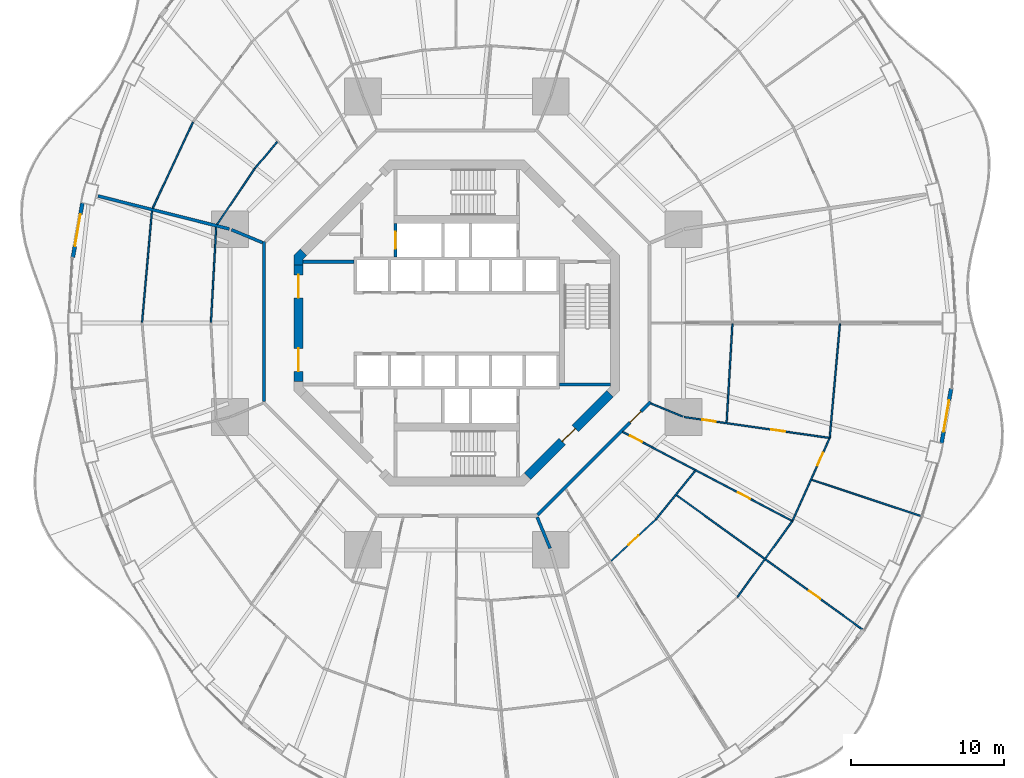
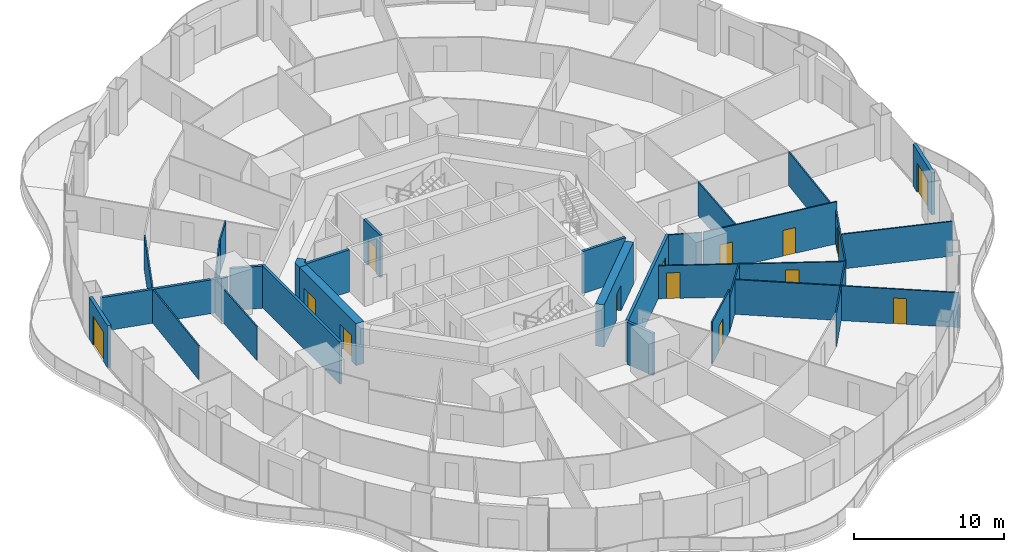
# One storey, part 16 of 22: 29 walls, 14 doors, 14 openings.
"""IFC4 building model written with IfcOpenShell, lengths in metres."""

import ifcopenshell
import ifcopenshell.guid

model = None  # the IFC model being written
_history = None  # IfcOwnerHistory: only IFC2X3 demands one
_inside = {}  # id of a spatial element -> (the spatial element, [elements in it])
_under = {}  # id of a project, library or spatial element -> (it, [spatial elements below it])
_declared = {}  # id of a project -> (the project, [libraries it declares])
_typed = {}  # id of a type object -> (the type object, [elements of that type])
_made_of = {}  # id of a material, layer set ... -> (it, [elements and type objects made of it])


def new_model(schema):
    """Start an empty IFC model of exactly this schema.

    Asked for "IFC4X3", IfcOpenShell would pick the latest addendum, in which some entities
    have other attributes; the version numbers below select the first issue.
    IFC2X3 requires an IfcOwnerHistory on every rooted entity: one is made here for all.
    """
    global model, _history
    if schema == "IFC4X3":
        model = ifcopenshell.file(schema_version=(4, 3, 0, 0))
    else:
        model = ifcopenshell.file(schema=schema)
    _inside.clear()
    _under.clear()
    _declared.clear()
    _typed.clear()
    _made_of.clear()
    _history = None
    if model.schema == "IFC2X3":
        org = make("IfcOrganization", Name="unknown")
        user = make(
            "IfcPersonAndOrganization",
            ThePerson=make("IfcPerson", FamilyName="unknown"),
            TheOrganization=org,
        )
        app = make(
            "IfcApplication",
            ApplicationDeveloper=org,
            Version="unknown",
            ApplicationFullName="unknown",
            ApplicationIdentifier="unknown",
        )
        _history = make(
            "IfcOwnerHistory",
            OwningUser=user,
            OwningApplication=app,
            ChangeAction="ADDED",
            CreationDate=0,
        )
    return model


def make(cls, **values):
    """One entity of the class cls with the attributes given. An attribute that is None is left unset."""
    return model.create_entity(
        cls, **{name: value for name, value in values.items() if value is not None}
    )


def rooted(cls, **values):
    """An entity with a GlobalId (a new one), such as an element, a storey or a relation."""
    return make(cls, GlobalId=ifcopenshell.guid.new(), OwnerHistory=_history, **values)


def si_unit(unit_type, name, prefix=None):
    """IfcSIUnit, for example si_unit("LENGTHUNIT", "METRE", prefix="MILLI")."""
    return make("IfcSIUnit", UnitType=unit_type, Prefix=prefix, Name=name)


def assignment(units):
    """IfcUnitAssignment: the units of a project."""
    return None if units is None else make("IfcUnitAssignment", Units=units)


def point(xyz):
    """IfcCartesianPoint."""
    return None if xyz is None else make("IfcCartesianPoint", Coordinates=xyz)


def direction(xyz):
    """IfcDirection."""
    return None if xyz is None else make("IfcDirection", DirectionRatios=xyz)


def frame(location, z_axis=None, x_axis=None):
    """IfcAxis2Placement3D, a coordinate frame: its origin and axes. An axis left out is left unset."""
    return make(
        "IfcAxis2Placement3D",
        Location=point(location),
        Axis=direction(z_axis),
        RefDirection=direction(x_axis),
    )


def frame_2d(location, x_axis=None):
    """IfcAxis2Placement2D, a coordinate frame in the plane: its origin and x axis."""
    return make(
        "IfcAxis2Placement2D", Location=point(location), RefDirection=direction(x_axis)
    )


def origin():
    """The frame at (0, 0, 0) with its axes left unset."""
    return frame((0.0, 0.0, 0.0))


def place(relative_to, where):
    """IfcLocalPlacement: puts the frame where relative to a parent placement (None: the world)."""
    return make(
        "IfcLocalPlacement", PlacementRelTo=relative_to, RelativePlacement=where
    )


def context(
    kind, dimensions, precision=None, world=None, true_north=None, identifier=None
):
    """IfcGeometricRepresentationContext, for example the 3D "Model" context."""
    return make(
        "IfcGeometricRepresentationContext",
        ContextIdentifier=identifier,
        ContextType=kind,
        CoordinateSpaceDimension=dimensions,
        Precision=precision,
        WorldCoordinateSystem=world,
        TrueNorth=true_north,
    )


def subcontext(parent, identifier, kind, view, scale=None):
    """IfcGeometricRepresentationSubContext, for example "Body" below "Model"."""
    return make(
        "IfcGeometricRepresentationSubContext",
        ContextIdentifier=identifier,
        ContextType=kind,
        ParentContext=parent,
        TargetScale=scale,
        TargetView=view,
    )


def project(units=None, contexts=None):
    """IfcProject with its units and contexts."""
    return rooted(
        "IfcProject",
        Name="project",
        RepresentationContexts=contexts,
        UnitsInContext=assignment(units),
    )


def spatial(cls, under=None, at=None, **own):
    """A site, building, storey or space (cls), placed at a placement, below another one or the project."""
    s = rooted(cls, ObjectPlacement=at, **own)
    if under is not None:
        _under.setdefault(under.id(), (under, []))[1].append(s)
    return s


def polyline(points):
    """IfcPolyline through the points."""
    return make("IfcPolyline", Points=[point(p) for p in points])


def profile(cls, at=None, kind="AREA", **sizes):
    """A parametric profile (cls). Its sizes go by their IFC names, for example OverallWidth=200.0."""
    return make(cls, ProfileType=kind, Position=at, **sizes)


def rectangle(**sizes):
    """IfcRectangleProfileDef."""
    return profile("IfcRectangleProfileDef", **sizes)


def outline(outer, holes=None, kind="AREA"):
    """IfcArbitraryClosedProfileDef: a profile drawn as a closed curve; with holes, ...WithVoids."""
    if holes is None:
        return make("IfcArbitraryClosedProfileDef", ProfileType=kind, OuterCurve=outer)
    return make(
        "IfcArbitraryProfileDefWithVoids",
        ProfileType=kind,
        OuterCurve=outer,
        InnerCurves=holes,
    )


def extrude(swept, where, along, depth):
    """IfcExtrudedAreaSolid: the profile swept, set in the frame where, extruded along a direction by depth."""
    return make(
        "IfcExtrudedAreaSolid",
        SweptArea=swept,
        Position=where,
        ExtrudedDirection=direction(along),
        Depth=depth,
    )


def shape(context_of_items, identifier, shape_type, items):
    """IfcShapeRepresentation: the items that make up one representation, for example the "Body"."""
    return make(
        "IfcShapeRepresentation",
        ContextOfItems=context_of_items,
        RepresentationIdentifier=identifier,
        RepresentationType=shape_type,
        Items=items,
    )


def material(Name=None, Category=None):
    """IfcMaterial."""
    return make("IfcMaterial", Name=Name, Category=Category)


def layer(
    of_material, thickness, ventilated=None, Name=None, Category=None, Priority=None
):
    """IfcMaterialLayer: one layer of a wall or slab, of a material (None: an air gap)."""
    return make(
        "IfcMaterialLayer",
        Material=of_material,
        LayerThickness=thickness,
        IsVentilated=ventilated,
        Name=Name,
        Category=Category,
        Priority=Priority,
    )


def layer_set(layers, Name=None):
    """IfcMaterialLayerSet."""
    return make("IfcMaterialLayerSet", MaterialLayers=layers, LayerSetName=Name)


def made_of(thing, what):
    """Note that an element or type object is made of a material, layer set ...; save() writes the relation."""
    if what is not None:
        _made_of.setdefault(what.id(), (what, []))[1].append(thing)
    return thing


def type_object(cls, material=None, **own):
    """A type object (cls), such as IfcWallType, which elements share."""
    return made_of(rooted(cls, **own), material)


def element(
    cls,
    number,
    at=None,
    inside=None,
    cuts=None,
    type_object=None,
    material=None,
    context=None,
    identifier="Body",
    shape_type=None,
    held_by="IfcProductDefinitionShape",
    body=None,
    shapes=None,
    **own,
):
    """One element of the class cls, such as IfcWall. Its Tag is "e" and its number.

    at: its placement. inside: the storey or other place that contains it. cuts: it is an
    opening in that element (IfcRelVoidsElement). A single representation is given by context,
    identifier, shape_type and body (its items); several are given by shapes. held_by: the class
    of the entity that holds the representations. save() writes the other relations.
    """
    e = rooted(cls, Tag="e%d" % number, ObjectPlacement=at, **own)
    if body is not None:
        shapes = [shape(context, identifier, shape_type, body)]
    if shapes is not None:
        e.Representation = make(held_by, Representations=shapes)
    if inside is not None:
        _inside.setdefault(inside.id(), (inside, []))[1].append(e)
    if cuts is not None:
        rooted(
            "IfcRelVoidsElement", RelatingBuildingElement=cuts, RelatedOpeningElement=e
        )
    if type_object is not None:
        _typed.setdefault(type_object.id(), (type_object, []))[1].append(e)
    return made_of(e, material)


def fill(opening, filler):
    """IfcRelFillsElement: the door or window that sits in an opening."""
    return rooted(
        "IfcRelFillsElement",
        RelatingOpeningElement=opening,
        RelatedBuildingElement=filler,
    )


def aggregate(whole, parts):
    """IfcRelAggregates: a whole, such as a stair, and the parts it consists of."""
    return rooted("IfcRelAggregates", RelatingObject=whole, RelatedObjects=parts)


def save(model, path):
    """Write the relations noted so far, then the file.

    IfcRelAggregates (storeys below a building ...), IfcRelContainedInSpatialStructure (elements
    in a storey), IfcRelDefinesByType, IfcRelAssociatesMaterial and IfcRelDeclares: one each for
    every whole, place, type object, material and project.
    """
    for whole, parts in _under.values():
        aggregate(whole, parts)
    for where, things in _inside.values():
        rooted(
            "IfcRelContainedInSpatialStructure",
            RelatedElements=things,
            RelatingStructure=where,
        )
    for kind, things in _typed.values():
        rooted("IfcRelDefinesByType", RelatedObjects=things, RelatingType=kind)
    for what, things in _made_of.values():
        rooted("IfcRelAssociatesMaterial", RelatedObjects=things, RelatingMaterial=what)
    for by, libraries in _declared.values():
        rooted("IfcRelDeclares", RelatingContext=by, RelatedDefinitions=libraries)
    model.write(path)


model = new_model("IFC4")

# Units and contexts
model_context = context("Model", 3, precision=1e-05, world=origin(), true_north=direction((0.0, 1.0)))
body_context = subcontext(model_context, "Body", "Model", "MODEL_VIEW")
ifc_project = project(units=[si_unit("LENGTHUNIT", "METRE"), si_unit("AREAUNIT", "SQUARE_METRE"), si_unit("VOLUMEUNIT", "CUBIC_METRE"), si_unit("PLANEANGLEUNIT", "RADIAN"), si_unit("MASSUNIT", "GRAM", prefix="KILO")], contexts=[model_context])

# Site, building, storey
site_placement = place(None, origin())
site = spatial("IfcSite", under=ifc_project, at=site_placement, CompositionType="ELEMENT")
building_placement = place(site_placement, origin())
building = spatial("IfcBuilding", under=site, at=building_placement, Name="Nagisa Residences", CompositionType="ELEMENT")
storey_placement = place(building_placement, frame((0.0, 0.0, 41.800048828125)))
storey = spatial("IfcBuildingStorey", under=building, at=storey_placement, Name="L09", CompositionType="ELEMENT", Elevation=41.800048828125)

# Walls
ifc_material_1 = material(Name="Gypsum board on steel studs", Category="steel")
ifc_layer_1 = layer(ifc_material_1, 0.199951171875)
ifc_layer_set_1 = layer_set([ifc_layer_1], Name="Apartment compartment wall EI60 200")
wall_type_1 = type_object("IfcWallType", Name="Apartment compartment wall EI60 200", PredefinedType="PARTITIONING", material=ifc_layer_set_1)
wall_1_placement = place(storey_placement, frame((-12.6572265625, 5.24267578125, 0.0), z_axis=(0.0, 0.0, 1.0), x_axis=(-0.923885664896, 0.382668627144, 0.0)))
element("IfcWall", 1, at=wall_1_placement, inside=storey, type_object=wall_type_1, Name="wall:L09:u02", PredefinedType="PARTITIONING", context=body_context, shape_type="SweptSolid", body=[
    extrude(rectangle(XDim=2.200439453125, YDim=0.199951171875, at=frame_2d((1.10009765625, 0.0))), origin(), (0.0, 0.0, 1.0), 3.43994140625),
])
wall_2_placement = place(storey_placement, frame((-14.83056640625, 6.135009765625, 0.0), z_axis=(0.0, 0.0, 1.0), x_axis=(-0.969884949569, 0.243563512454, 0.0)))
element("IfcWall", 2, at=wall_2_placement, inside=storey, type_object=wall_type_1, Name="wall:L09:u03", PredefinedType="PARTITIONING", context=body_context, shape_type="SweptSolid", body=[
    extrude(rectangle(XDim=8.828857421875, YDim=0.199951171875, at=frame_2d((4.41455078125, 0.0))), origin(), (0.0, 0.0, 1.0), 2.755859375),
])
wall_3_placement = place(storey_placement, frame((5.24267578125, -12.6572265625, 0.0), z_axis=(0.0, 0.0, 1.0), x_axis=(0.382707856524, -0.923869415315, 0.0)))
element("IfcWall", 3, at=wall_3_placement, inside=storey, type_object=wall_type_1, Name="wall:L09:u04", PredefinedType="PARTITIONING", context=body_context, shape_type="SweptSolid", body=[
    extrude(rectangle(XDim=2.2001953125, YDim=0.199951171875, at=frame_2d((1.10009765625, 0.0))), origin(), (0.0, 0.0, 1.0), 3.43994140625),
])
ifc_material_2 = material(Name="Gypsum board on steel studs", Category="steel")
ifc_layer_2 = layer(ifc_material_2, 0.199951171875)
ifc_layer_set_2 = layer_set([ifc_layer_2], Name="Apartment entry wall EI60 200")
wall_type_2 = type_object("IfcWallType", Name="Apartment entry wall EI60 200", PredefinedType="PARTITIONING", material=ifc_layer_set_2)
wall_4_placement = place(storey_placement, frame((-12.564697265625, 5.304443359375, 0.0), z_axis=(0.0, 0.0, 1.0), x_axis=(0.0, -1.0, 0.0)))
element("IfcWall", 4, at=wall_4_placement, inside=storey, type_object=wall_type_2, Name="wall:L09:u10", PredefinedType="PARTITIONING", context=body_context, shape_type="SweptSolid", body=[
    extrude(rectangle(XDim=10.408935546875, YDim=0.199951171875, at=frame_2d((5.20458984375, 0.0))), origin(), (0.0, 0.0, 1.0), 3.43994140625),
])

# Wall, opening, door
wall_5_placement = place(storey_placement, frame((5.275146484375, -12.494140625, 0.0), z_axis=(0.0, 0.0, 1.0), x_axis=(0.707106781187, 0.707106781187, 0.0)))
wall_5 = element("IfcWall", 5, at=wall_5_placement, inside=storey, type_object=wall_type_2, Name="wall:L09:u13", PredefinedType="PARTITIONING", context=body_context, shape_type="SweptSolid", body=[
    extrude(rectangle(XDim=10.4091796875, YDim=0.199951171875, at=frame_2d((5.20458984375, 0.0))), origin(), (0.0, 0.0, 1.0), 3.43994140625),
])
opening_1_placement = place(wall_5_placement, frame((8.5078125, 0.0, 0.0)))
opening_1 = element("IfcOpeningElement", 6, at=opening_1_placement, cuts=wall_5, Name="Opening L09-U38", PredefinedType="OPENING", context=body_context, shape_type="SweptSolid", body=[
    extrude(rectangle(XDim=1.0, YDim=2.10009765625, at=frame_2d((0.5, 1.050048828125))), frame((0.0, 0.10986328125, 0.0), z_axis=(0.0, -1.0, 0.0), x_axis=(1.0, 0.0, 0.0)), (0.0, 0.0, 1.0), 0.219970703125),
])
ifc_material_3 = material(Name="Timber fire door set", Category="wood")
door_type_1 = type_object("IfcDoorType", Name="Apartment entry door FD30S 1000x2100", OperationType="NOTDEFINED", PredefinedType="DOOR", material=ifc_material_3)
door_1_placement = place(opening_1_placement, frame((1.0, 0.0, 0.0), x_axis=(-1.0, 0.0, 0.0)))
door_1 = element("IfcDoor", 7, at=door_1_placement, inside=storey, type_object=door_type_1, Name="Entry door, Apartment 09C", OperationType="SINGLE_SWING_LEFT", OverallHeight=2.10009765625, OverallWidth=1.0, PredefinedType="DOOR", context=body_context, shape_type="SweptSolid", body=[
    extrude(rectangle(XDim=1.0, YDim=2.10009765625, at=frame_2d((0.5, 1.050048828125))), frame((0.0, 0.02490234375, 0.0), z_axis=(0.0, -1.0, 0.0), x_axis=(1.0, 0.0, 0.0)), (0.0, 0.0, 1.0), 0.050048828125),
])
fill(opening_1, door_1)

# Walls
ifc_material_4 = material(Name="Gypsum board on steel studs", Category="steel")
ifc_layer_3 = layer(ifc_material_4, 0.10009765625)
ifc_layer_set_3 = layer_set([ifc_layer_3], Name="Apartment partition 100")
wall_type_3 = type_object("IfcWallType", Name="Apartment partition 100", PredefinedType="PARTITIONING", material=ifc_layer_set_3)
wall_6_placement = place(storey_placement, frame((17.971435546875, -0.0498046875, 0.0), z_axis=(0.0, 0.0, 1.0), x_axis=(-0.058475267553, -0.998288857538, 0.0)))
element("IfcWall", 8, at=wall_6_placement, inside=storey, type_object=wall_type_3, Name="wall:L09:u16", PredefinedType="PARTITIONING", context=body_context, shape_type="SweptSolid", body=[
    extrude(rectangle(XDim=6.43798828125, YDim=0.10009765625, at=frame_2d((3.218994140625, 0.0))), origin(), (0.0, 0.0, 1.0), 2.755859375),
])
wall_7_placement = place(storey_placement, frame((24.982177734375, -0.0498046875, 0.0), z_axis=(0.0, 0.0, 1.0), x_axis=(-0.089432471274, -0.995992888068, 0.0)))
element("IfcWall", 9, at=wall_7_placement, inside=storey, type_object=wall_type_3, Name="wall:L09:u18", PredefinedType="PARTITIONING", context=body_context, shape_type="SweptSolid", body=[
    extrude(rectangle(XDim=7.422607421875, YDim=0.10009765625, at=frame_2d((3.71142578125, 0.0))), origin(), (0.0, 0.0, 1.0), 2.755859375),
])
wall_8_placement = place(storey_placement, frame((-11.70458984375, 11.824951171875, 0.0), z_axis=(0.0, 0.0, 1.0), x_axis=(-0.640861724905, -0.767656335577, 0.0)))
element("IfcWall", 10, at=wall_8_placement, inside=storey, type_object=wall_type_3, Name="wall:L09:u49", PredefinedType="PARTITIONING", context=body_context, shape_type="SweptSolid", body=[
    extrude(rectangle(XDim=2.268310546875, YDim=0.10009765625, at=frame_2d((1.13427734375, 0.0))), origin(), (0.0, 0.0, 1.0), 2.755859375),
])
wall_9_placement = place(storey_placement, frame((-13.162353515625, 10.086669921875, 0.0), z_axis=(0.0, 0.0, 1.0), x_axis=(-0.55912750241, -0.829081682375, 0.0)))
element("IfcWall", 11, at=wall_9_placement, inside=storey, type_object=wall_type_3, Name="wall:L09:u50", PredefinedType="PARTITIONING", context=body_context, shape_type="SweptSolid", body=[
    extrude(rectangle(XDim=4.407958984375, YDim=0.10009765625, at=frame_2d((2.2041015625, 0.0))), origin(), (0.0, 0.0, 1.0), 2.755859375),
])
wall_10_placement = place(storey_placement, frame((-17.20263671875, 13.0947265625, 0.0), z_axis=(0.0, 0.0, 1.0), x_axis=(-0.423926333401, -0.905696673202, 0.0)))
element("IfcWall", 12, at=wall_10_placement, inside=storey, type_object=wall_type_3, Name="wall:L09:u51", PredefinedType="PARTITIONING", context=body_context, shape_type="SweptSolid", body=[
    extrude(rectangle(XDim=6.1875, YDim=0.10009765625, at=frame_2d((3.09375, 0.0))), origin(), (0.0, 0.0, 1.0), 2.755859375),
])
wall_11_placement = place(storey_placement, frame((-15.688232421875, 6.249267578125, 0.0), z_axis=(0.0, 0.0, 1.0), x_axis=(-0.054659814056, -0.998505034903, 0.0)))
element("IfcWall", 13, at=wall_11_placement, inside=storey, type_object=wall_type_3, Name="wall:L09:u52", PredefinedType="PARTITIONING", context=body_context, shape_type="SweptSolid", body=[
    extrude(rectangle(XDim=6.20849609375, YDim=0.10009765625, at=frame_2d((3.104248046875, 0.0))), origin(), (0.0, 0.0, 1.0), 2.755859375),
])
wall_12_placement = place(storey_placement, frame((-19.876708984375, 7.300537109375, 0.0), z_axis=(0.0, 0.0, 1.0), x_axis=(-0.088143415068, -0.996107794558, 0.0)))
element("IfcWall", 14, at=wall_12_placement, inside=storey, type_object=wall_type_3, Name="wall:L09:u53", PredefinedType="PARTITIONING", context=body_context, shape_type="SweptSolid", body=[
    extrude(rectangle(XDim=7.279052734375, YDim=0.10009765625, at=frame_2d((3.6396484375, 0.0))), origin(), (0.0, 0.0, 1.0), 2.755859375),
])

# Wall, opening, door
wall_13_placement = place(storey_placement, frame((10.066162109375, -15.51123046875, 0.0), z_axis=(0.0, 0.0, 1.0), x_axis=(0.732022571638, 0.681280378855, 0.0)))
wall_13 = element("IfcWall", 15, at=wall_13_placement, inside=storey, type_object=wall_type_3, Name="wall:L09:u82", PredefinedType="PARTITIONING", context=body_context, shape_type="SweptSolid", body=[
    extrude(rectangle(XDim=3.9501953125, YDim=0.10009765625, at=frame_2d((1.97509765625, 0.0))), origin(), (0.0, 0.0, 1.0), 3.43994140625),
])
opening_2_placement = place(wall_13_placement, frame((1.525146484375, 0.0, 0.0)))
opening_2 = element("IfcOpeningElement", 16, at=opening_2_placement, cuts=wall_13, Name="Opening L09-U42", PredefinedType="OPENING", context=body_context, shape_type="SweptSolid", body=[
    extrude(rectangle(XDim=0.89990234375, YDim=2.10009765625, at=frame_2d((0.449951171875, 1.050048828125))), frame((0.0, 0.06005859375, 0.0), z_axis=(0.0, -1.0, 0.0), x_axis=(1.0, 0.0, 0.0)), (0.0, 0.0, 1.0), 0.1201171875),
])
ifc_material_5 = material(Name="Timber door set", Category="wood")
door_type_2 = type_object("IfcDoorType", Name="Apartment door 900x2100", OperationType="NOTDEFINED", PredefinedType="DOOR", material=ifc_material_5)
door_2_placement = place(opening_2_placement, frame((0.89990234375, 0.0, 0.0), x_axis=(-1.0, 0.0, 0.0)))
door_2 = element("IfcDoor", 17, at=door_2_placement, inside=storey, type_object=door_type_2, Name="Door to family room, Apartment 09C", OperationType="SINGLE_SWING_LEFT", OverallHeight=2.10009765625, OverallWidth=0.89990234375, PredefinedType="DOOR", context=body_context, shape_type="SweptSolid", body=[
    extrude(rectangle(XDim=0.89990234375, YDim=2.10009765625, at=frame_2d((0.449951171875, 1.050048828125))), frame((0.0, 0.02490234375, 0.0), z_axis=(0.0, -1.0, 0.0), x_axis=(1.0, 0.0, 0.0)), (0.0, 0.0, 1.0), 0.050048828125),
])
fill(opening_2, door_2)

# Walls
wall_14_placement = place(storey_placement, frame((12.962890625, -12.824951171875, 0.0), z_axis=(0.0, 0.0, 1.0), x_axis=(0.63012473344, 0.776493928056, 0.0)))
element("IfcWall", 18, at=wall_14_placement, inside=storey, type_object=wall_type_3, Name="wall:L09:u84", PredefinedType="PARTITIONING", context=body_context, shape_type="SweptSolid", body=[
    extrude(rectangle(XDim=4.1064453125, YDim=0.10009765625, at=frame_2d((2.05322265625, 0.0))), origin(), (0.0, 0.0, 1.0), 2.755859375),
])
wall_15_placement = place(storey_placement, frame((18.292724609375, -17.884033203125, 0.0), z_axis=(0.0, 0.0, 1.0), x_axis=(0.584558392935, 0.811351640936, 0.0)))
element("IfcWall", 19, at=wall_15_placement, inside=storey, type_object=wall_type_3, Name="wall:L09:u85", PredefinedType="PARTITIONING", context=body_context, shape_type="SweptSolid", body=[
    extrude(rectangle(XDim=6.084228515625, YDim=0.10009765625, at=frame_2d((3.0419921875, 0.0))), origin(), (0.0, 0.0, 1.0), 2.755859375),
])

# Wall, opening, door
wall_16_placement = place(storey_placement, frame((14.328857421875, -11.22119140625, 0.0), z_axis=(0.0, 0.0, 1.0), x_axis=(0.810671130917, -0.58550176558, 0.0)))
wall_16 = element("IfcWall", 20, at=wall_16_placement, inside=storey, type_object=wall_type_3, Name="wall:L09:u86", PredefinedType="PARTITIONING", context=body_context, shape_type="SweptSolid", body=[
    extrude(rectangle(XDim=15.105712890625, YDim=0.10009765625, at=frame_2d((7.552734375, 0.0))), origin(), (0.0, 0.0, 1.0), 2.8369140625),
])
opening_3_placement = place(wall_16_placement, frame((10.65869140625, 0.0, 0.0)))
opening_3 = element("IfcOpeningElement", 21, at=opening_3_placement, cuts=wall_16, Name="Opening L09-U47", PredefinedType="OPENING", context=body_context, shape_type="SweptSolid", body=[
    extrude(rectangle(XDim=0.89990234375, YDim=2.10009765625, at=frame_2d((0.449951171875, 1.050048828125))), frame((0.0, 0.06005859375, 0.0), z_axis=(0.0, -1.0, 0.0), x_axis=(1.0, 0.0, 0.0)), (0.0, 0.0, 1.0), 0.1201171875),
])
door_3_placement = place(opening_3_placement, origin())
door_3 = element("IfcDoor", 22, at=door_3_placement, inside=storey, type_object=door_type_2, Name="Door to master bedroom, Apartment 09C", OperationType="SINGLE_SWING_LEFT", OverallHeight=2.10009765625, OverallWidth=0.89990234375, PredefinedType="DOOR", context=body_context, shape_type="SweptSolid", body=[
    extrude(rectangle(XDim=0.89990234375, YDim=2.10009765625, at=frame_2d((0.449951171875, 1.050048828125))), frame((0.0, 0.02490234375, 0.0), z_axis=(0.0, -1.0, 0.0), x_axis=(1.0, 0.0, 0.0)), (0.0, 0.0, 1.0), 0.050048828125),
])
fill(opening_3, door_3)

# Wall, openings, doors
wall_17_placement = place(storey_placement, frame((10.813232421875, -7.091064453125, 0.0), z_axis=(0.0, 0.0, 1.0), x_axis=(0.885182649479, -0.465243674928, 0.0)))
wall_17 = element("IfcWall", 23, at=wall_17_placement, inside=storey, type_object=wall_type_3, Name="wall:L09:u87", PredefinedType="PARTITIONING", context=body_context, shape_type="SweptSolid", body=[
    extrude(rectangle(XDim=12.550537109375, YDim=0.10009765625, at=frame_2d((6.275390625, 0.0))), origin(), (0.0, 0.0, 1.0), 2.68701171875),
])
opening_4_placement = place(wall_17_placement, frame((0.539306640625, 0.0, 0.0)))
opening_4 = element("IfcOpeningElement", 24, at=opening_4_placement, cuts=wall_17, Name="Opening L09-U39", PredefinedType="OPENING", context=body_context, shape_type="SweptSolid", body=[
    extrude(rectangle(XDim=0.89990234375, YDim=2.10009765625, at=frame_2d((0.449951171875, 1.050048828125))), frame((0.0, 0.06005859375, 0.0), z_axis=(0.0, -1.0, 0.0), x_axis=(1.0, 0.0, 0.0)), (0.0, 0.0, 1.0), 0.1201171875),
])
opening_5_placement = place(wall_17_placement, frame((8.493896484375, 0.0, 0.0)))
opening_5 = element("IfcOpeningElement", 25, at=opening_5_placement, cuts=wall_17, Name="Opening L09-U43", PredefinedType="OPENING", context=body_context, shape_type="SweptSolid", body=[
    extrude(rectangle(XDim=0.89990234375, YDim=2.10009765625, at=frame_2d((0.449951171875, 1.050048828125))), frame((0.0, 0.06005859375, 0.0), z_axis=(0.0, -1.0, 0.0), x_axis=(1.0, 0.0, 0.0)), (0.0, 0.0, 1.0), 0.1201171875),
])
door_4_placement = place(opening_4_placement, frame((0.89990234375, 0.0, 0.0), x_axis=(-1.0, 0.0, 0.0)))
door_4 = element("IfcDoor", 26, at=door_4_placement, inside=storey, type_object=door_type_2, Name="Door to store, Apartment 09C", OperationType="SINGLE_SWING_RIGHT", OverallHeight=2.10009765625, OverallWidth=0.89990234375, PredefinedType="DOOR", context=body_context, shape_type="SweptSolid", body=[
    extrude(rectangle(XDim=0.89990234375, YDim=2.10009765625, at=frame_2d((0.449951171875, 1.050048828125))), frame((0.0, 0.02490234375, 0.0), z_axis=(0.0, -1.0, 0.0), x_axis=(1.0, 0.0, 0.0)), (0.0, 0.0, 1.0), 0.050048828125),
])
fill(opening_4, door_4)
door_5_placement = place(opening_5_placement, frame((0.89990234375, 0.0, 0.0), x_axis=(-1.0, 0.0, 0.0)))
door_5 = element("IfcDoor", 27, at=door_5_placement, inside=storey, type_object=door_type_2, Name="Door to family bathroom, Apartment 09C", OperationType="SINGLE_SWING_RIGHT", OverallHeight=2.10009765625, OverallWidth=0.89990234375, PredefinedType="DOOR", context=body_context, shape_type="SweptSolid", body=[
    extrude(rectangle(XDim=0.89990234375, YDim=2.10009765625, at=frame_2d((0.449951171875, 1.050048828125))), frame((0.0, 0.02490234375, 0.0), z_axis=(0.0, -1.0, 0.0), x_axis=(1.0, 0.0, 0.0)), (0.0, 0.0, 1.0), 0.050048828125),
])
fill(opening_5, door_5)

# Wall, opening, door
wall_18_placement = place(storey_placement, frame((21.89892578125, -12.861328125, 0.0), z_axis=(0.0, 0.0, 1.0), x_axis=(0.410197710154, 0.911996622025, 0.0)))
wall_18 = element("IfcWall", 28, at=wall_18_placement, inside=storey, type_object=wall_type_3, Name="wall:L09:u88", PredefinedType="PARTITIONING", context=body_context, shape_type="SweptSolid", body=[
    extrude(rectangle(XDim=5.8369140625, YDim=0.10009765625, at=frame_2d((2.91845703125, 0.0))), origin(), (0.0, 0.0, 1.0), 2.755859375),
])
opening_6_placement = place(wall_18_placement, frame((3.927734375, 0.0, 0.0)))
opening_6 = element("IfcOpeningElement", 29, at=opening_6_placement, cuts=wall_18, Name="Opening L09-U48", PredefinedType="OPENING", context=body_context, shape_type="SweptSolid", body=[
    extrude(rectangle(XDim=0.89990234375, YDim=2.10009765625, at=frame_2d((0.449951171875, 1.050048828125))), frame((0.0, 0.06005859375, 0.0), z_axis=(0.0, -1.0, 0.0), x_axis=(1.0, 0.0, 0.0)), (0.0, 0.0, 1.0), 0.1201171875),
])
door_6_placement = place(opening_6_placement, frame((0.89990234375, 0.0, 0.0), x_axis=(-1.0, 0.0, 0.0)))
door_6 = element("IfcDoor", 30, at=door_6_placement, inside=storey, type_object=door_type_2, Name="Door to living room, Apartment 09C", OperationType="SINGLE_SWING_LEFT", OverallHeight=2.10009765625, OverallWidth=0.89990234375, PredefinedType="DOOR", context=body_context, shape_type="SweptSolid", body=[
    extrude(rectangle(XDim=0.89990234375, YDim=2.10009765625, at=frame_2d((0.449951171875, 1.050048828125))), frame((0.0, 0.02490234375, 0.0), z_axis=(0.0, -1.0, 0.0), x_axis=(1.0, 0.0, 0.0)), (0.0, 0.0, 1.0), 0.050048828125),
])
fill(opening_6, door_6)

# Walls
wall_19_placement = place(storey_placement, frame((23.1435546875, -10.215576171875, 0.0), z_axis=(0.0, 0.0, 1.0), x_axis=(0.948811715359, -0.315842253027, 0.0)))
element("IfcWall", 31, at=wall_19_placement, inside=storey, type_object=wall_type_3, Name="wall:L09:u89", PredefinedType="PARTITIONING", context=body_context, shape_type="SweptSolid", body=[
    extrude(rectangle(XDim=7.599853515625, YDim=0.10009765625, at=frame_2d((3.7998046875, 0.0))), origin(), (0.0, 0.0, 1.0), 2.8369140625),
])
wall_20_placement = place(storey_placement, frame((12.6572265625, -5.24267578125, 0.0), z_axis=(0.0, 0.0, 1.0), x_axis=(0.923864733477, -0.382719158442, 0.0)))
element("IfcWall", 32, at=wall_20_placement, inside=storey, type_object=wall_type_3, Name="wall:L09:u90", PredefinedType="PARTITIONING", context=body_context, shape_type="SweptSolid", body=[
    extrude(rectangle(XDim=2.25, YDim=0.10009765625, at=frame_2d((1.125, 0.0))), origin(), (0.0, 0.0, 1.0), 3.43994140625),
])

# Wall, openings, doors
wall_21_placement = place(storey_placement, frame((14.83154296875, -6.130126953125, 0.0), z_axis=(0.0, 0.0, 1.0), x_axis=(0.989837122016, -0.142205737856, 0.0)))
wall_21 = element("IfcWall", 33, at=wall_21_placement, inside=storey, type_object=wall_type_3, Name="wall:L09:u91", PredefinedType="PARTITIONING", context=body_context, shape_type="SweptSolid", body=[
    extrude(rectangle(XDim=9.629638671875, YDim=0.10009765625, at=frame_2d((4.81494140625, 0.0))), origin(), (0.0, 0.0, 1.0), 3.43994140625),
])
opening_7_placement = place(wall_21_placement, frame((1.18212890625, 0.0, 0.0)))
opening_7 = element("IfcOpeningElement", 34, at=opening_7_placement, cuts=wall_21, Name="Opening L09-U40", PredefinedType="OPENING", context=body_context, shape_type="SweptSolid", body=[
    extrude(rectangle(XDim=0.89990234375, YDim=2.10009765625, at=frame_2d((0.449951171875, 1.050048828125))), frame((0.0, 0.06005859375, 0.0), z_axis=(0.0, -1.0, 0.0), x_axis=(1.0, 0.0, 0.0)), (0.0, 0.0, 1.0), 0.1201171875),
])
opening_8_placement = place(wall_21_placement, frame((5.734130859375, 0.0, 0.0)))
opening_8 = element("IfcOpeningElement", 35, at=opening_8_placement, cuts=wall_21, Name="Opening L09-U44", PredefinedType="OPENING", context=body_context, shape_type="SweptSolid", body=[
    extrude(rectangle(XDim=0.89990234375, YDim=2.10009765625, at=frame_2d((0.449951171875, 1.050048828125))), frame((0.0, 0.06005859375, 0.0), z_axis=(0.0, -1.0, 0.0), x_axis=(1.0, 0.0, 0.0)), (0.0, 0.0, 1.0), 0.1201171875),
])
door_7_placement = place(opening_7_placement, origin())
door_7 = element("IfcDoor", 36, at=door_7_placement, inside=storey, type_object=door_type_2, Name="Door to laundry, Apartment 09C", OperationType="SINGLE_SWING_RIGHT", OverallHeight=2.10009765625, OverallWidth=0.89990234375, PredefinedType="DOOR", context=body_context, shape_type="SweptSolid", body=[
    extrude(rectangle(XDim=0.89990234375, YDim=2.10009765625, at=frame_2d((0.449951171875, 1.050048828125))), frame((0.0, 0.02490234375, 0.0), z_axis=(0.0, -1.0, 0.0), x_axis=(1.0, 0.0, 0.0)), (0.0, 0.0, 1.0), 0.050048828125),
])
fill(opening_7, door_7)
door_8_placement = place(opening_8_placement, origin())
door_8 = element("IfcDoor", 37, at=door_8_placement, inside=storey, type_object=door_type_2, Name="Door to dining room, Apartment 09C", OperationType="SINGLE_SWING_RIGHT", OverallHeight=2.10009765625, OverallWidth=0.89990234375, PredefinedType="DOOR", context=body_context, shape_type="SweptSolid", body=[
    extrude(rectangle(XDim=0.89990234375, YDim=2.10009765625, at=frame_2d((0.449951171875, 1.050048828125))), frame((0.0, 0.02490234375, 0.0), z_axis=(0.0, -1.0, 0.0), x_axis=(1.0, 0.0, 0.0)), (0.0, 0.0, 1.0), 0.050048828125),
])
fill(opening_8, door_8)

# Wall, opening, door
ifc_material_6 = material(Name="Precast concrete C40/50", Category="concrete")
ifc_layer_4 = layer(ifc_material_6, 0.25)
ifc_layer_set_4 = layer_set([ifc_layer_4], Name="BALCONY DOOR WALL 250")
wall_type_4 = type_object("IfcWallType", Name="BALCONY DOOR WALL 250", PredefinedType="SOLIDWALL", material=ifc_layer_set_4)
wall_22_placement = place(storey_placement, frame((-25.02880859375, 4.285888671875, 0.0), z_axis=(0.0, 0.0, 1.0), x_axis=(0.172217377323, 0.98505897029, 0.0)))
wall_22 = element("IfcWall", 38, at=wall_22_placement, inside=storey, type_object=wall_type_4, Name="wall:L09:bay22", PredefinedType="SOLIDWALL", context=body_context, shape_type="SweptSolid", body=[
    extrude(rectangle(XDim=3.597900390625, YDim=0.25, at=frame_2d((1.798828125, 0.0))), origin(), (0.0, 0.0, 1.0), 3.43994140625),
])
opening_9_placement = place(wall_22_placement, frame((0.7490234375, 0.0, 0.0)))
opening_9 = element("IfcOpeningElement", 39, at=opening_9_placement, cuts=wall_22, Name="Opening BD-L09-08", PredefinedType="OPENING", context=body_context, shape_type="SweptSolid", body=[
    extrude(rectangle(XDim=2.10009765625, YDim=2.39990234375, at=frame_2d((1.050048828125, 1.199951171875))), frame((0.0, 0.135009765625, 0.0), z_axis=(0.0, -1.0, 0.0), x_axis=(1.0, 0.0, 0.0)), (0.0, 0.0, 1.0), 0.27001953125),
])
ifc_material_7 = material(Name="Aluminium and clear glass", Category="aluminium")
door_type_3 = type_object("IfcDoorType", Name="BALCONY SLIDING DOOR 2100x2400", OperationType="SLIDING_TO_LEFT", PredefinedType="DOOR", material=ifc_material_7)
door_9_placement = place(opening_9_placement, origin())
door_9 = element("IfcDoor", 40, at=door_9_placement, inside=storey, type_object=door_type_3, Name="door:L09:bay22", OperationType="SLIDING_TO_LEFT", OverallHeight=2.39990234375, OverallWidth=2.10009765625, PredefinedType="DOOR", context=body_context, shape_type="SweptSolid", body=[
    extrude(rectangle(XDim=2.10009765625, YDim=2.39990234375, at=frame_2d((1.050048828125, 1.199951171875))), frame((0.0, 0.02490234375, 0.0), z_axis=(0.0, -1.0, 0.0), x_axis=(1.0, 0.0, 0.0)), (0.0, 0.0, 1.0), 0.050048828125),
])
fill(opening_9, door_9)

wall_23_placement = place(storey_placement, frame((32.228759765625, -4.285888671875, 0.0), z_axis=(0.0, 0.0, 1.0), x_axis=(-0.172217377323, -0.98505897029, 0.0)))
wall_23 = element("IfcWall", 41, at=wall_23_placement, inside=storey, type_object=wall_type_4, Name="wall:L09:bay46", PredefinedType="SOLIDWALL", context=body_context, shape_type="SweptSolid", body=[
    extrude(rectangle(XDim=3.597900390625, YDim=0.25, at=frame_2d((1.798828125, 0.0))), origin(), (0.0, 0.0, 1.0), 3.43994140625),
])
opening_10_placement = place(wall_23_placement, frame((0.7490234375, 0.0, 0.0)))
opening_10 = element("IfcOpeningElement", 42, at=opening_10_placement, cuts=wall_23, Name="Opening BD-L09-16", PredefinedType="OPENING", context=body_context, shape_type="SweptSolid", body=[
    extrude(rectangle(XDim=2.10009765625, YDim=2.39990234375, at=frame_2d((1.050048828125, 1.199951171875))), frame((0.0, 0.135009765625, 0.0), z_axis=(0.0, -1.0, 0.0), x_axis=(1.0, 0.0, 0.0)), (0.0, 0.0, 1.0), 0.27001953125),
])
door_10_placement = place(opening_10_placement, origin())
door_10 = element("IfcDoor", 43, at=door_10_placement, inside=storey, type_object=door_type_3, Name="door:L09:bay46", OperationType="SLIDING_TO_LEFT", OverallHeight=2.39990234375, OverallWidth=2.10009765625, PredefinedType="DOOR", context=body_context, shape_type="SweptSolid", body=[
    extrude(rectangle(XDim=2.10009765625, YDim=2.39990234375, at=frame_2d((1.050048828125, 1.199951171875))), frame((0.0, 0.02490234375, 0.0), z_axis=(0.0, -1.0, 0.0), x_axis=(1.0, 0.0, 0.0)), (0.0, 0.0, 1.0), 0.050048828125),
])
fill(opening_10, door_10)

# Wall
ifc_material_8 = material(Name="Gypsum board on steel studs", Category="steel")
ifc_layer_5 = layer(ifc_material_8, 0.199951171875)
ifc_layer_set_5 = layer_set([ifc_layer_5], Name="Core partition 200")
wall_type_5 = type_object("IfcWallType", Name="Core partition 200", PredefinedType="PARTITIONING", material=ifc_layer_set_5)
wall_24_placement = place(storey_placement, frame((-10.024658203125, 4.0, 0.0), z_axis=(0.0, 0.0, 1.0), x_axis=(1.0, 0.0, 0.0)))
element("IfcWall", 44, at=wall_24_placement, inside=storey, type_object=wall_type_5, Name="wall:L09:PNW", PredefinedType="PARTITIONING", context=body_context, shape_type="SweptSolid", body=[
    extrude(rectangle(XDim=3.32470703125, YDim=0.199951171875, at=frame_2d((1.662353515625, 0.0))), origin(), (0.0, 0.0, 1.0), 3.43994140625),
])

# Wall, openings, doors
ifc_material_9 = material(Name="Concrete C60", Category="concrete")
ifc_layer_6 = layer(ifc_material_9, 0.60009765625)
ifc_layer_set_6 = layer_set([ifc_layer_6], Name="Core shear wall 600")
wall_type_6 = type_object("IfcWallType", Name="Core shear wall 600", PredefinedType="SHEAR", material=ifc_layer_set_6)
wall_25_placement = place(storey_placement, frame((-10.32470703125, 3.80078125, 0.0), z_axis=(0.0, 0.0, 1.0), x_axis=(0.0, -1.0, 0.0)))
wall_25 = element("IfcWall", 45, at=wall_25_placement, inside=storey, type_object=wall_type_6, Name="wall:L09:core:flat4", PredefinedType="SHEAR", context=body_context, shape_type="SweptSolid", body=[
    extrude(rectangle(XDim=7.6015625, YDim=0.60009765625, at=frame_2d((3.80078125, 0.0))), origin(), (0.0, 0.0, 1.0), 3.43994140625),
])
opening_11_placement = place(wall_25_placement, frame((0.65087890625, 0.0, 0.0)))
opening_11 = element("IfcOpeningElement", 46, at=opening_11_placement, cuts=wall_25, Name="Opening L09-C19", PredefinedType="OPENING", context=body_context, shape_type="SweptSolid", body=[
    extrude(rectangle(XDim=1.5, YDim=2.10009765625, at=frame_2d((0.75, 1.050048828125))), frame((0.0, 0.31005859375, 0.0), z_axis=(0.0, -1.0, 0.0), x_axis=(1.0, 0.0, 0.0)), (0.0, 0.0, 1.0), 0.6201171875),
])
opening_12_placement = place(wall_25_placement, frame((5.450927734375, 0.0, 0.0)))
opening_12 = element("IfcOpeningElement", 47, at=opening_12_placement, cuts=wall_25, Name="Opening L09-C20", PredefinedType="OPENING", context=body_context, shape_type="SweptSolid", body=[
    extrude(rectangle(XDim=1.5, YDim=2.10009765625, at=frame_2d((0.75, 1.050048828125))), frame((0.0, 0.31005859375, 0.0), z_axis=(0.0, -1.0, 0.0), x_axis=(1.0, 0.0, 0.0)), (0.0, 0.0, 1.0), 0.6201171875),
])
ifc_material_10 = material(Name="Steel fire door", Category="steel")
door_type_4 = type_object("IfcDoorType", Name="Fire door EI60 1500x2100 double door single swing", OperationType="DOUBLE_DOOR_SINGLE_SWING", PredefinedType="DOOR", material=ifc_material_10)
door_11_placement = place(opening_11_placement, origin())
door_11 = element("IfcDoor", 48, at=door_11_placement, inside=storey, type_object=door_type_4, Name="Lift lobby door L09 1", OperationType="DOUBLE_DOOR_SINGLE_SWING", OverallHeight=2.10009765625, OverallWidth=1.5, PredefinedType="DOOR", context=body_context, shape_type="SweptSolid", body=[
    extrude(rectangle(XDim=1.5, YDim=2.10009765625, at=frame_2d((0.75, 1.050048828125))), frame((0.0, 0.02490234375, 0.0), z_axis=(0.0, -1.0, 0.0), x_axis=(1.0, 0.0, 0.0)), (0.0, 0.0, 1.0), 0.050048828125),
])
fill(opening_11, door_11)
door_12_placement = place(opening_12_placement, origin())
door_12 = element("IfcDoor", 49, at=door_12_placement, inside=storey, type_object=door_type_4, Name="Lift lobby door L09 2", OperationType="DOUBLE_DOOR_SINGLE_SWING", OverallHeight=2.10009765625, OverallWidth=1.5, PredefinedType="DOOR", context=body_context, shape_type="SweptSolid", body=[
    extrude(rectangle(XDim=1.5, YDim=2.10009765625, at=frame_2d((0.75, 1.050048828125))), frame((0.0, 0.02490234375, 0.0), z_axis=(0.0, -1.0, 0.0), x_axis=(1.0, 0.0, 0.0)), (0.0, 0.0, 1.0), 0.050048828125),
])
fill(opening_12, door_12)

# Wall, opening, door
wall_26_placement = place(storey_placement, frame((4.613037109375, -9.98828125, 0.0), z_axis=(0.0, 0.0, 1.0), x_axis=(0.707106781187, 0.707106781187, 0.0)))
wall_26 = element("IfcWall", 50, at=wall_26_placement, inside=storey, type_object=wall_type_6, Name="wall:L09:core:flat7", PredefinedType="SHEAR", context=body_context, shape_type="SweptSolid", body=[
    extrude(rectangle(XDim=7.601806640625, YDim=0.60009765625, at=frame_2d((3.80078125, 0.0))), origin(), (0.0, 0.0, 1.0), 3.43994140625),
])
opening_13_placement = place(wall_26_placement, frame((3.200927734375, 0.0, 0.0)))
opening_13 = element("IfcOpeningElement", 51, at=opening_13_placement, cuts=wall_26, Name="Opening L09-C18", PredefinedType="OPENING", context=body_context, shape_type="SweptSolid", body=[
    extrude(rectangle(XDim=1.199951171875, YDim=2.10009765625, at=frame_2d((0.60009765625, 1.050048828125))), frame((0.0, 0.31005859375, 0.0), z_axis=(0.0, -1.0, 0.0), x_axis=(1.0, 0.0, 0.0)), (0.0, 0.0, 1.0), 0.6201171875),
])
ifc_material_11 = material(Name="Steel fire door", Category="steel")
door_type_5 = type_object("IfcDoorType", Name="Fire door EI60 1200x2100 single swing", OperationType="NOTDEFINED", PredefinedType="DOOR", material=ifc_material_11)
door_13_placement = place(opening_13_placement, origin())
door_13 = element("IfcDoor", 52, at=door_13_placement, inside=storey, type_object=door_type_5, Name="Firefighting lobby 2 door L09", OperationType="SINGLE_SWING_RIGHT", OverallHeight=2.10009765625, OverallWidth=1.199951171875, PredefinedType="DOOR", context=body_context, shape_type="SweptSolid", body=[
    extrude(rectangle(XDim=1.199951171875, YDim=2.10009765625, at=frame_2d((0.60009765625, 1.050048828125))), frame((0.0, 0.02490234375, 0.0), z_axis=(0.0, -1.0, 0.0), x_axis=(1.0, 0.0, 0.0)), (0.0, 0.0, 1.0), 0.050048828125),
])
fill(opening_13, door_13)

# Wall
wall_27_placement = place(storey_placement, origin())
element("IfcWall", 53, at=wall_27_placement, inside=storey, type_object=wall_type_6, Name="wall:L09:core:pier3", PredefinedType="SHEAR", context=body_context, shape_type="SweptSolid", body=[
    extrude(outline(polyline([(-10.200439453125, 4.8251953125), (-9.776123046875, 4.40087890625), (-10.024658203125, 4.15234375), (-10.024658203125, 3.80078125), (-10.62451171875, 3.80078125), (-10.62451171875, 4.40087890625), (-10.200439453125, 4.8251953125)])), origin(), (0.0, 0.0, 1.0), 3.43994140625),
])

# Wall, opening, door
ifc_material_12 = material(Name="Concrete C60", Category="concrete")
ifc_layer_7 = layer(ifc_material_12, 0.199951171875)
ifc_layer_set_7 = layer_set([ifc_layer_7], Name="Lift shaft wall 200")
wall_type_7 = type_object("IfcWallType", Name="Lift shaft wall 200", PredefinedType="SOLIDWALL", material=ifc_layer_set_7)
wall_28_placement = place(storey_placement, frame((-4.0, 4.300048828125, 0.0), z_axis=(0.0, 0.0, 1.0), x_axis=(0.0, 1.0, 0.0)))
wall_28 = element("IfcWall", 54, at=wall_28_placement, inside=storey, type_object=wall_type_7, Name="wall:L09:Nb4", PredefinedType="SOLIDWALL", context=body_context, shape_type="SweptSolid", body=[
    extrude(rectangle(XDim=2.199951171875, YDim=0.199951171875, at=frame_2d((1.10009765625, 0.0))), origin(), (0.0, 0.0, 1.0), 3.43994140625),
])
opening_14_placement = place(wall_28_placement, frame((0.550048828125, 0.0, 0.0)))
opening_14 = element("IfcOpeningElement", 55, at=opening_14_placement, cuts=wall_28, Name="Opening L09-C08", PredefinedType="OPENING", context=body_context, shape_type="SweptSolid", body=[
    extrude(rectangle(XDim=1.10009765625, YDim=2.10009765625, at=frame_2d((0.550048828125, 1.050048828125))), frame((0.0, 0.10986328125, 0.0), z_axis=(0.0, -1.0, 0.0), x_axis=(1.0, 0.0, 0.0)), (0.0, 0.0, 1.0), 0.219970703125),
])
ifc_material_13 = material(Name="Stainless steel", Category="steel")
door_type_6 = type_object("IfcDoorType", Name="Lift landing door 1100x2100", OperationType="DOUBLE_DOOR_SLIDING", PredefinedType="DOOR", material=ifc_material_13)
door_14_placement = place(opening_14_placement, origin())
door_14 = element("IfcDoor", 56, at=door_14_placement, inside=storey, type_object=door_type_6, Name="Landing door SV L09", OperationType="DOUBLE_DOOR_SLIDING", OverallHeight=2.10009765625, OverallWidth=1.10009765625, PredefinedType="DOOR", context=body_context, shape_type="SweptSolid", body=[
    extrude(rectangle(XDim=1.10009765625, YDim=2.10009765625, at=frame_2d((0.550048828125, 1.050048828125))), frame((0.0, 0.02490234375, 0.0), z_axis=(0.0, -1.0, 0.0), x_axis=(1.0, 0.0, 0.0)), (0.0, 0.0, 1.0), 0.050048828125),
])
fill(opening_14, door_14)

# Wall
ifc_material_14 = material(Name="Concrete C60", Category="concrete")
ifc_layer_8 = layer(ifc_material_14, 0.199951171875)
ifc_layer_set_8 = layer_set([ifc_layer_8], Name="Stair enclosure wall 200")
wall_type_8 = type_object("IfcWallType", Name="Stair enclosure wall 200", PredefinedType="SOLIDWALL", material=ifc_layer_set_8)
wall_29_placement = place(storey_placement, origin())
element("IfcWall", 57, at=wall_29_placement, inside=storey, type_object=wall_type_8, Name="wall:L09:SE_s", PredefinedType="SOLIDWALL", context=body_context, shape_type="SweptSolid", body=[
    extrude(outline(polyline([(10.024658203125, -4.10009765625), (6.699951171875, -4.10009765625), (6.699951171875, -3.89990234375), (10.024658203125, -3.89990234375), (10.024658203125, -4.10009765625)])), origin(), (0.0, 0.0, 1.0), 3.43994140625),
])

save(model, "model.ifc")
